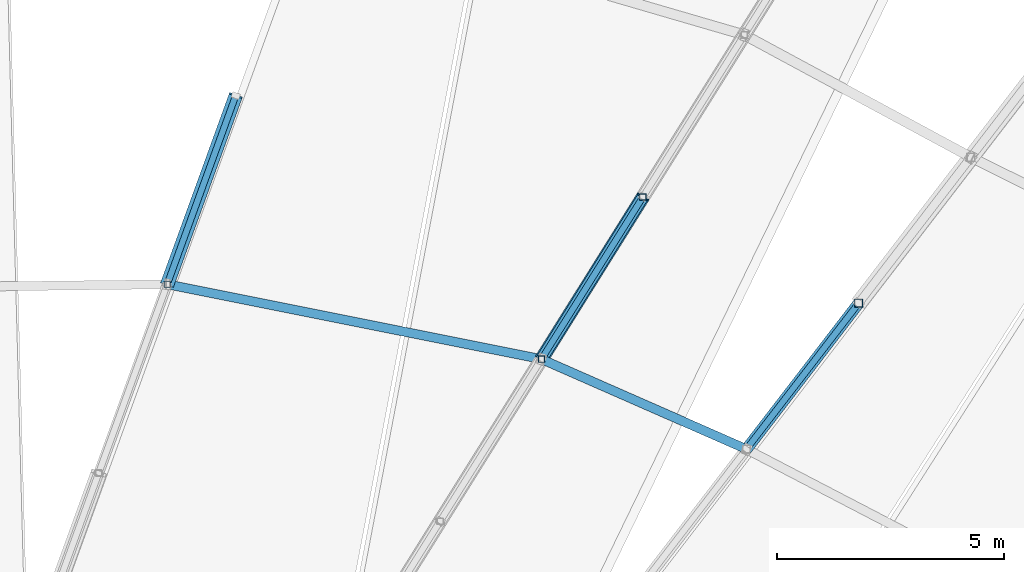
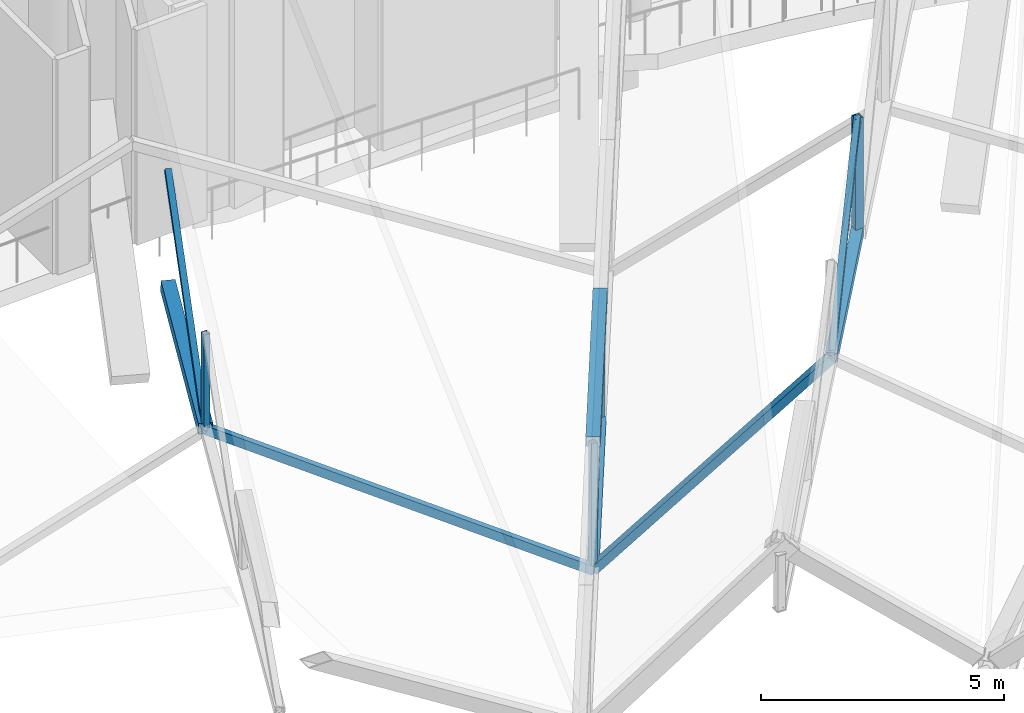
# One storey, part 188 of 344: 13 members.
"""IFC4 building model written with IfcOpenShell, lengths in metres."""

from ifc_helpers import new_model, si_unit, direction, frame, origin, origin_2d, place, context, subcontext, project, spatial, hollow_rectangle, extrude, material, material_profile, profile_set, type_object, element, save


model = new_model("IFC4")

# Units and contexts
model_context = context("Model", 3, precision=1e-05, world=origin(), true_north=direction((0.0, 1.0)))
body_context = subcontext(model_context, "Body", "Model", "MODEL_VIEW")
ifc_project = project(units=[si_unit("LENGTHUNIT", "METRE"), si_unit("AREAUNIT", "SQUARE_METRE"), si_unit("VOLUMEUNIT", "CUBIC_METRE"), si_unit("PLANEANGLEUNIT", "RADIAN"), si_unit("MASSUNIT", "GRAM", prefix="KILO")], contexts=[model_context])

# Site, building, storey
site_placement = place(None, origin())
site = spatial("IfcSite", under=ifc_project, at=site_placement, CompositionType="ELEMENT")
building_placement = place(site_placement, origin())
building = spatial("IfcBuilding", under=site, at=building_placement, Name="Meseta Stadium", CompositionType="ELEMENT")
storey_placement = place(building_placement, frame((0.0, 0.0, 24.0)))
storey = spatial("IfcBuildingStorey", under=building, at=storey_placement, Name="L04", CompositionType="ELEMENT", Elevation=24.0)

# Members
ifc_material_1 = material(Name="Steel S355", Category="steel")
ifc_material_profile_1 = material_profile(ifc_material_1, hollow_rectangle(XDim=0.139892578125, YDim=0.139892578125, WallThickness=0.0048828125, at=origin_2d()), Name="SHS 140x140x5")
ifc_profile_set_1 = profile_set([ifc_material_profile_1], Name="Steel S355")
member_type_1 = type_object("IfcMemberType", Name="SHS 140x140x5 diagonal", PredefinedType="BRACE", material=ifc_profile_set_1)
member_1_placement = place(storey_placement, frame((39.672607421875, 70.265380859375, 5.6474609375), z_axis=(0.476488050649, 0.619697666977, 0.623645683968), x_axis=(-0.792749139849, 0.609548030321, 0.0)))
element("IfcMember", 1, at=member_1_placement, inside=storey, type_object=member_type_1, Name="ROOF TRUSS RT-14 diagonal", PredefinedType="BRACE", context=body_context, shape_type="SweptSolid", body=[
    extrude(hollow_rectangle(XDim=0.139892578125, YDim=0.139892578125, WallThickness=0.0048828125, at=origin_2d()), origin(), (0.0, 0.0, 1.0), 5.194580078125),
])
member_2_placement = place(storey_placement, frame((35.15380859375, 72.25048828125, 0.70458984375), z_axis=(0.38565285101, 0.616673984515, 0.686283524012), x_axis=(-0.847855154969, 0.53022790967, 0.0)))
element("IfcMember", 2, at=member_2_placement, inside=storey, type_object=member_type_1, Name="ROOF TRUSS RT-15 diagonal", PredefinedType="BRACE", context=body_context, shape_type="SweptSolid", body=[
    extrude(hollow_rectangle(XDim=0.139892578125, YDim=0.139892578125, WallThickness=0.0048828125, at=origin_2d()), origin(), (0.0, 0.0, 1.0), 5.797607421875),
])
member_3_placement = place(storey_placement, frame((26.901123046875, 73.901611328125, 6.12548828125), z_axis=(0.269119434077, 0.74147014085, 0.614651739142), x_axis=(-0.939999305221, 0.341176356426, 0.0)))
element("IfcMember", 3, at=member_3_placement, inside=storey, type_object=member_type_1, Name="ROOF TRUSS RT-16 diagonal", PredefinedType="BRACE", context=body_context, shape_type="SweptSolid", body=[
    extrude(hollow_rectangle(XDim=0.139892578125, YDim=0.139892578125, WallThickness=0.0048828125, at=origin_2d()), origin(), (0.0, 0.0, 1.0), 5.61376953125),
])
ifc_material_2 = material(Name="Steel S355", Category="steel")
ifc_material_profile_2 = material_profile(ifc_material_2, hollow_rectangle(XDim=0.139892578125, YDim=0.139892578125, WallThickness=0.0048828125, at=origin_2d()), Name="SHS 140x140x5")
ifc_profile_set_2 = profile_set([ifc_material_profile_2], Name="Steel S355")
member_type_2 = type_object("IfcMemberType", Name="SHS 140x140x5 post", PredefinedType="POST", material=ifc_profile_set_2)
member_4_placement = place(storey_placement, frame((35.15380859375, 72.25048828125, 0.70458984375), z_axis=(0.0, 0.0, 1.0), x_axis=(1.0, 0.0, 0.0)))
element("IfcMember", 4, at=member_4_placement, inside=storey, type_object=member_type_2, Name="ROOF TRUSS RT-15 post", PredefinedType="POST", context=body_context, shape_type="SweptSolid", body=[
    extrude(hollow_rectangle(XDim=0.139892578125, YDim=0.139892578125, WallThickness=0.0048828125, at=origin_2d()), origin(), (0.0, 0.0, 1.0), 3.199951171875),
])
member_5_placement = place(storey_placement, frame((37.3896484375, 75.82568359375, 1.483154296875), z_axis=(0.0, 0.0, 1.0), x_axis=(1.0, 0.0, 0.0)))
element("IfcMember", 5, at=member_5_placement, inside=storey, type_object=member_type_2, Name="ROOF TRUSS RT-15 post", PredefinedType="POST", context=body_context, shape_type="SweptSolid", body=[
    extrude(hollow_rectangle(XDim=0.139892578125, YDim=0.139892578125, WallThickness=0.0048828125, at=origin_2d()), origin(), (0.0, 0.0, 1.0), 3.2001953125),
])
member_6_placement = place(storey_placement, frame((26.901123046875, 73.901611328125, 6.12548828125), z_axis=(0.0, 0.0, 1.0), x_axis=(1.0, 0.0, 0.0)))
element("IfcMember", 6, at=member_6_placement, inside=storey, type_object=member_type_2, Name="ROOF TRUSS RT-16 post", PredefinedType="POST", context=body_context, shape_type="SweptSolid", body=[
    extrude(hollow_rectangle(XDim=0.139892578125, YDim=0.139892578125, WallThickness=0.0048828125, at=origin_2d()), origin(), (0.0, 0.0, 1.0), 2.409423828125),
])
ifc_material_3 = material(Name="Steel S355", Category="steel")
ifc_material_profile_3 = material_profile(ifc_material_3, hollow_rectangle(XDim=0.179931640625, YDim=0.179931640625, WallThickness=0.00634765625, at=origin_2d()), Name="SHS 180x180x6.3")
ifc_profile_set_3 = profile_set([ifc_material_profile_3], Name="Steel S355")
member_type_3 = type_object("IfcMemberType", Name="SHS 180x180x6.3 post", PredefinedType="POST", material=ifc_profile_set_3)
member_7_placement = place(storey_placement, frame((42.147705078125, 73.484375, 5.981689453125), z_axis=(0.0, 0.0, 1.0), x_axis=(1.0, 0.0, 0.0)))
element("IfcMember", 7, at=member_7_placement, inside=storey, type_object=member_type_3, Name="ROOF TRUSS RT-14 post", PredefinedType="POST", context=body_context, shape_type="SweptSolid", body=[
    extrude(hollow_rectangle(XDim=0.179931640625, YDim=0.179931640625, WallThickness=0.00634765625, at=origin_2d()), origin(), (0.0, 0.0, 1.0), 2.9052734375),
])
ifc_material_4 = material(Name="Steel S355", Category="steel")
ifc_material_profile_4 = material_profile(ifc_material_4, hollow_rectangle(XDim=0.199951171875, YDim=0.199951171875, WallThickness=0.008056640625, at=origin_2d()), Name="SHS 200x200x8")
ifc_profile_set_4 = profile_set([ifc_material_profile_4], Name="Steel S355")
member_type_4 = type_object("IfcMemberType", Name="SHS 200x200x8 strut", PredefinedType="STRUT", material=ifc_profile_set_4)
member_8_placement = place(storey_placement, frame((39.672607421875, 70.265380859375, 5.6474609375), z_axis=(-0.646916078506, 0.284190103967, -0.707626718106), x_axis=(-0.402201456413, -0.915551193795, 0.0)))
element("IfcMember", 8, at=member_8_placement, inside=storey, type_object=member_type_4, Name="ROOF TRUSS STRUT RT-14/15", PredefinedType="STRUT", context=body_context, shape_type="SweptSolid", body=[
    extrude(hollow_rectangle(XDim=0.199951171875, YDim=0.199951171875, WallThickness=0.008056640625, at=origin_2d()), origin(), (0.0, 0.0, 1.0), 6.985107421875),
])
member_9_placement = place(storey_placement, frame((35.15380859375, 72.25048828125, 0.70458984375), z_axis=(-0.824365684789, 0.164931666604, 0.541496780317), x_axis=(-0.196183076893, -0.980567284964, 0.0)))
element("IfcMember", 9, at=member_9_placement, inside=storey, type_object=member_type_4, Name="ROOF TRUSS STRUT RT-15/16", PredefinedType="STRUT", context=body_context, shape_type="SweptSolid", body=[
    extrude(hollow_rectangle(XDim=0.199951171875, YDim=0.199951171875, WallThickness=0.008056640625, at=origin_2d()), origin(), (0.0, 0.0, 1.0), 10.010986328125),
])
ifc_material_5 = material(Name="Steel S355", Category="steel")
ifc_material_profile_5 = material_profile(ifc_material_5, hollow_rectangle(XDim=0.25, YDim=0.25, WallThickness=0.010009765625, at=origin_2d()), Name="SHS 250x250x10")
ifc_profile_set_5 = profile_set([ifc_material_profile_5], Name="Steel S355")
member_type_5 = type_object("IfcMemberType", Name="SHS 250x250x10 bottom chord", PredefinedType="CHORD", material=ifc_profile_set_5)
member_10_placement = place(storey_placement, frame((39.672607421875, 70.265380859375, 5.6474609375), z_axis=(0.60749357764, 0.790077216531, 0.08203380428), x_axis=(-0.792749139849, 0.609548030321, 0.0)))
element("IfcMember", 10, at=member_10_placement, inside=storey, type_object=member_type_5, Name="ROOF TRUSS RT-14 bottom chord", PredefinedType="CHORD", context=body_context, shape_type="SweptSolid", body=[
    extrude(hollow_rectangle(XDim=0.25, YDim=0.25, WallThickness=0.010009765625, at=origin_2d()), origin(), (0.0, 0.0, 1.0), 4.07421875),
])
member_11_placement = place(storey_placement, frame((35.15380859375, 72.25048828125, 0.70458984375), z_axis=(0.521414755543, 0.833762577001, 0.181567116775), x_axis=(-0.847855154969, 0.53022790967, 0.0)))
element("IfcMember", 11, at=member_11_placement, inside=storey, type_object=member_type_5, Name="ROOF TRUSS RT-15 bottom chord", PredefinedType="CHORD", context=body_context, shape_type="SweptSolid", body=[
    extrude(hollow_rectangle(XDim=0.25, YDim=0.25, WallThickness=0.010009765625, at=origin_2d()), origin(), (0.0, 0.0, 1.0), 4.2880859375),
])
ifc_material_6 = material(Name="Steel S355", Category="steel")
ifc_material_profile_6 = material_profile(ifc_material_6, hollow_rectangle(XDim=0.300048828125, YDim=0.300048828125, WallThickness=0.010009765625, at=origin_2d()), Name="SHS 300x300x10")
ifc_profile_set_6 = profile_set([ifc_material_profile_6], Name="Steel S355")
member_type_6 = type_object("IfcMemberType", Name="SHS 300x300x10 bottom chord", PredefinedType="CHORD", material=ifc_profile_set_6)
member_12_placement = place(storey_placement, frame((26.901123046875, 73.901611328125, 6.12548828125), z_axis=(0.338700537674, 0.933178000454, 0.120252921989), x_axis=(-0.939999305221, 0.341176356426, 0.0)))
element("IfcMember", 12, at=member_12_placement, inside=storey, type_object=member_type_6, Name="ROOF TRUSS RT-16 bottom chord", PredefinedType="CHORD", context=body_context, shape_type="SweptSolid", body=[
    extrude(hollow_rectangle(XDim=0.300048828125, YDim=0.300048828125, WallThickness=0.010009765625, at=origin_2d()), origin(), (0.0, 0.0, 1.0), 4.46044921875),
])
ifc_material_7 = material(Name="Steel S355", Category="steel")
ifc_material_profile_7 = material_profile(ifc_material_7, hollow_rectangle(XDim=0.300048828125, YDim=0.300048828125, WallThickness=0.010009765625, at=origin_2d()), Name="SHS 300x300x10")
ifc_profile_set_7 = profile_set([ifc_material_profile_7], Name="Steel S355")
member_type_7 = type_object("IfcMemberType", Name="SHS 300x300x10 top chord", PredefinedType="CHORD", material=ifc_profile_set_7)
member_13_placement = place(storey_placement, frame((35.15380859375, 72.25048828125, 3.904541015625), z_axis=(0.521409364603, 0.833753956676, 0.181622174392), x_axis=(-0.847855154969, 0.53022790967, 0.0)))
element("IfcMember", 13, at=member_13_placement, inside=storey, type_object=member_type_7, Name="ROOF TRUSS RT-15 top chord", PredefinedType="CHORD", context=body_context, shape_type="SweptSolid", body=[
    extrude(hollow_rectangle(XDim=0.300048828125, YDim=0.300048828125, WallThickness=0.010009765625, at=origin_2d()), origin(), (0.0, 0.0, 1.0), 4.2880859375),
])

save(model, "model.ifc")
